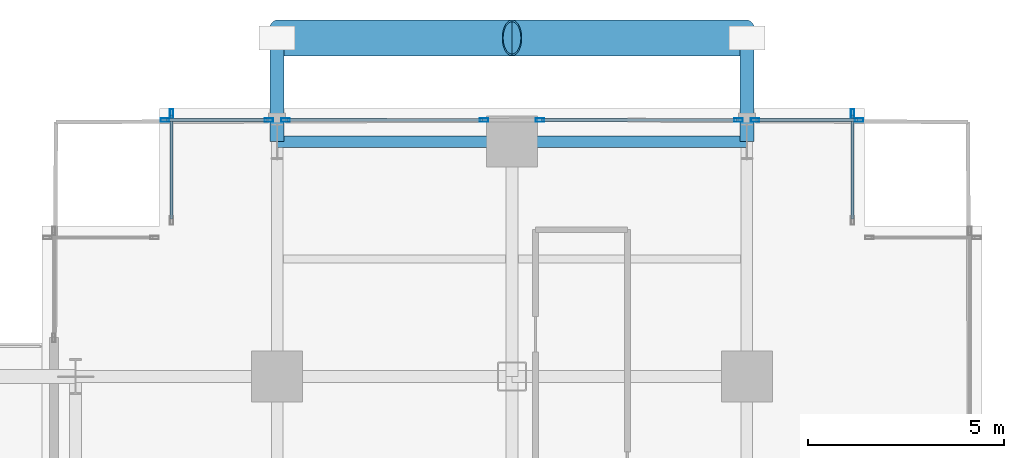
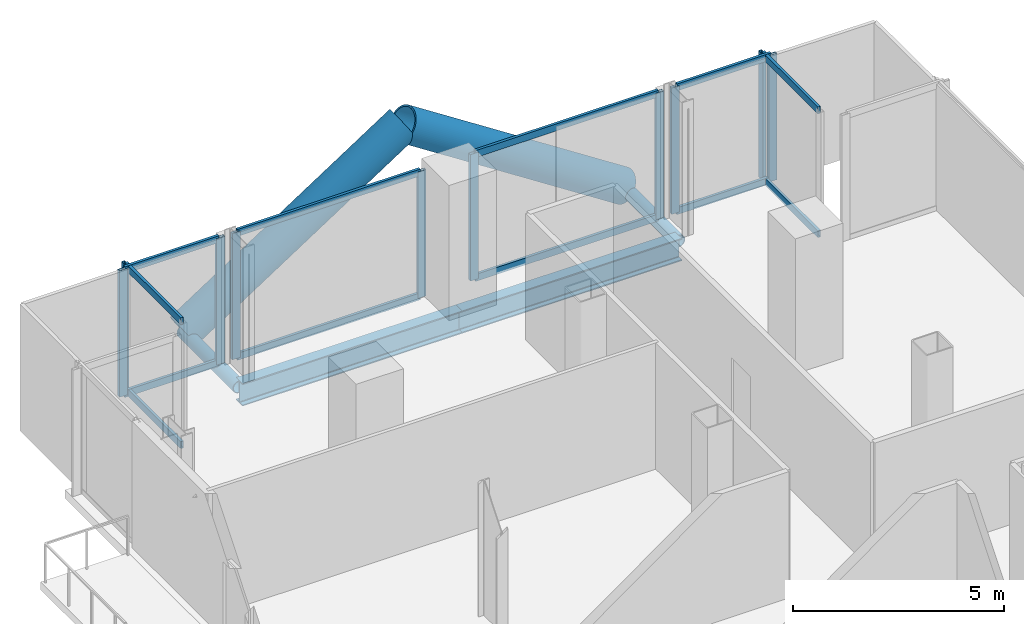
# One storey, part 16 of 27: 26 members, 2 beams, 6 elements without a shape of their own.
"""IFC4 building model written with IfcOpenShell, lengths in metres."""

from ifc_helpers import new_model, si_unit, direction, frame, origin, origin_2d, place, context, subcontext, project, spatial, hollow_rectangle, hollow_circle, i_section, extrude, material, layer, layer_set, material_profile, profile_set, type_object, element, aggregate, save


model = new_model("IFC4")

# Units and contexts
model_context = context("Model", 3, precision=1e-05, world=origin(), true_north=direction((0.0, 1.0)))
body_context = subcontext(model_context, "Body", "Model", "MODEL_VIEW")
ifc_project = project(units=[si_unit("LENGTHUNIT", "METRE"), si_unit("AREAUNIT", "SQUARE_METRE"), si_unit("VOLUMEUNIT", "CUBIC_METRE"), si_unit("PLANEANGLEUNIT", "RADIAN"), si_unit("MASSUNIT", "GRAM", prefix="KILO"), si_unit("THERMODYNAMICTEMPERATUREUNIT", "KELVIN"), si_unit("POWERUNIT", "WATT")], contexts=[model_context])

# Site, building, storey
site_placement = place(None, origin())
site = spatial("IfcSite", under=ifc_project, at=site_placement, CompositionType="ELEMENT")
building_placement = place(site_placement, origin())
building = spatial("IfcBuilding", under=site, at=building_placement, Name="Svarakhadi Broadcast Tower", CompositionType="ELEMENT")
storey_placement = place(building_placement, frame((0.0, 0.0, 40.199951171875)))
storey = spatial("IfcBuildingStorey", under=building, at=storey_placement, Name="L08", CompositionType="ELEMENT", Elevation=40.199951171875)

# Curtain wall, member
ifc_material_1 = material(Name="Anodised Bronze Aluminium AA 6063-T6", Category="aluminium")
ifc_layer = layer(ifc_material_1, 0.219970703125)
ifc_layer_set = layer_set([ifc_layer], Name="Anodised Bronze Aluminium AA 6063-T6")
curtain_wall_type = type_object("IfcCurtainWallType", Name="CW_Sys_02", PredefinedType="NOTDEFINED", material=ifc_layer_set)
curtain_wall_1_placement = place(storey_placement, origin())
curtain_wall_1 = element("IfcCurtainWall", 1, at=curtain_wall_1_placement, inside=storey, type_object=curtain_wall_type, Name="L08 Unitised Facade Curtain Wall 05", PredefinedType="NOTDEFINED")
ifc_material_profile_1 = material_profile(ifc_material_1, hollow_rectangle(XDim=0.0849609375, YDim=0.219970703125, WallThickness=0.006103515625, at=origin_2d()), Name="ALU MULLION 220x85x6")
ifc_profile_set_1 = profile_set([ifc_material_profile_1], Name="Anodised Bronze Aluminium AA 6063-T6")
member_type_1 = type_object("IfcMemberType", Name="CW_Sys_02_Mul", PredefinedType="MULLION", material=ifc_profile_set_1)
member_1_placement = place(storey_placement, frame((3.300048828125, 47.867431640625, 0.0), z_axis=(0.0, 0.0, 1.0), x_axis=(-1.0, 0.0, 0.0)))
member_1 = element("IfcMember", 2, at=member_1_placement, type_object=member_type_1, Name="CW-02 mullion 2", PredefinedType="MULLION", context=body_context, shape_type="SweptSolid", body=[
    extrude(hollow_rectangle(XDim=0.0849609375, YDim=0.219970703125, WallThickness=0.006103515625, at=origin_2d()), origin(), (0.0, 0.0, 1.0), 3.650146484375),
])

# Curtain wall, members
curtain_wall_2_placement = place(storey_placement, origin())
curtain_wall_2 = element("IfcCurtainWall", 3, at=curtain_wall_2_placement, inside=storey, type_object=curtain_wall_type, Name="L08 Unitised Facade Curtain Wall 06 Bay 1", PredefinedType="NOTDEFINED")
member_2_placement = place(storey_placement, frame((3.132568359375, 47.699951171875, 0.0), z_axis=(0.0, 0.0, 1.0), x_axis=(0.0, 1.0, 0.0)))
member_2 = element("IfcMember", 4, at=member_2_placement, type_object=member_type_1, Name="CW-02 mullion 1", PredefinedType="MULLION", context=body_context, shape_type="SweptSolid", body=[
    extrude(hollow_rectangle(XDim=0.0849609375, YDim=0.219970703125, WallThickness=0.006103515625, at=origin_2d()), origin(), (0.0, 0.0, 1.0), 3.650146484375),
])
member_3_placement = place(storey_placement, frame((5.78759765625, 47.699951171875, 0.0), z_axis=(0.0, 0.0, 1.0), x_axis=(0.0, 1.0, 0.0)))
member_3 = element("IfcMember", 5, at=member_3_placement, type_object=member_type_1, Name="CW-02 mullion 2", PredefinedType="MULLION", context=body_context, shape_type="SweptSolid", body=[
    extrude(hollow_rectangle(XDim=0.0849609375, YDim=0.219970703125, WallThickness=0.006103515625, at=origin_2d()), origin(), (0.0, 0.0, 1.0), 3.650146484375),
])

curtain_wall_3_placement = place(storey_placement, origin())
curtain_wall_3 = element("IfcCurtainWall", 6, at=curtain_wall_3_placement, inside=storey, type_object=curtain_wall_type, Name="L08 Unitised Facade Curtain Wall 06 Bay 2", PredefinedType="NOTDEFINED")
member_4_placement = place(storey_placement, frame((6.21240234375, 47.699951171875, 0.0), z_axis=(0.0, 0.0, 1.0), x_axis=(0.0, 1.0, 0.0)))
member_4 = element("IfcMember", 7, at=member_4_placement, type_object=member_type_1, Name="CW-02 mullion 1", PredefinedType="MULLION", context=body_context, shape_type="SweptSolid", body=[
    extrude(hollow_rectangle(XDim=0.0849609375, YDim=0.219970703125, WallThickness=0.006103515625, at=origin_2d()), origin(), (0.0, 0.0, 1.0), 3.650146484375),
])
member_5_placement = place(storey_placement, frame((11.28759765625, 47.699951171875, 0.0), z_axis=(0.0, 0.0, 1.0), x_axis=(0.0, 1.0, 0.0)))
member_5 = element("IfcMember", 8, at=member_5_placement, type_object=member_type_1, Name="CW-02 mullion 2", PredefinedType="MULLION", context=body_context, shape_type="SweptSolid", body=[
    extrude(hollow_rectangle(XDim=0.0849609375, YDim=0.219970703125, WallThickness=0.006103515625, at=origin_2d()), origin(), (0.0, 0.0, 1.0), 3.650146484375),
])

curtain_wall_4_placement = place(storey_placement, origin())
curtain_wall_4 = element("IfcCurtainWall", 9, at=curtain_wall_4_placement, inside=storey, type_object=curtain_wall_type, Name="L08 Unitised Facade Curtain Wall 06 Bay 3", PredefinedType="NOTDEFINED")
member_6_placement = place(storey_placement, frame((12.71240234375, 47.699951171875, 0.0), z_axis=(0.0, 0.0, 1.0), x_axis=(0.0, 1.0, 0.0)))
member_6 = element("IfcMember", 10, at=member_6_placement, type_object=member_type_1, Name="CW-02 mullion 1", PredefinedType="MULLION", context=body_context, shape_type="SweptSolid", body=[
    extrude(hollow_rectangle(XDim=0.0849609375, YDim=0.219970703125, WallThickness=0.006103515625, at=origin_2d()), origin(), (0.0, 0.0, 1.0), 3.650146484375),
])
member_7_placement = place(storey_placement, frame((17.78759765625, 47.699951171875, 0.0), z_axis=(0.0, 0.0, 1.0), x_axis=(0.0, 1.0, 0.0)))
member_7 = element("IfcMember", 11, at=member_7_placement, type_object=member_type_1, Name="CW-02 mullion 2", PredefinedType="MULLION", context=body_context, shape_type="SweptSolid", body=[
    extrude(hollow_rectangle(XDim=0.0849609375, YDim=0.219970703125, WallThickness=0.006103515625, at=origin_2d()), origin(), (0.0, 0.0, 1.0), 3.650146484375),
])

curtain_wall_5_placement = place(storey_placement, origin())
curtain_wall_5 = element("IfcCurtainWall", 12, at=curtain_wall_5_placement, inside=storey, type_object=curtain_wall_type, Name="L08 Unitised Facade Curtain Wall 06 Bay 4", PredefinedType="NOTDEFINED")
member_8_placement = place(storey_placement, frame((18.21240234375, 47.699951171875, 0.0), z_axis=(0.0, 0.0, 1.0), x_axis=(0.0, 1.0, 0.0)))
member_8 = element("IfcMember", 13, at=member_8_placement, type_object=member_type_1, Name="CW-02 mullion 1", PredefinedType="MULLION", context=body_context, shape_type="SweptSolid", body=[
    extrude(hollow_rectangle(XDim=0.0849609375, YDim=0.219970703125, WallThickness=0.006103515625, at=origin_2d()), origin(), (0.0, 0.0, 1.0), 3.650146484375),
])
member_9_placement = place(storey_placement, frame((20.867431640625, 47.699951171875, 0.0), z_axis=(0.0, 0.0, 1.0), x_axis=(0.0, 1.0, 0.0)))
member_9 = element("IfcMember", 14, at=member_9_placement, type_object=member_type_1, Name="CW-02 mullion 2", PredefinedType="MULLION", context=body_context, shape_type="SweptSolid", body=[
    extrude(hollow_rectangle(XDim=0.0849609375, YDim=0.219970703125, WallThickness=0.006103515625, at=origin_2d()), origin(), (0.0, 0.0, 1.0), 3.650146484375),
])

# Curtain wall, member
curtain_wall_6_placement = place(storey_placement, origin())
curtain_wall_6 = element("IfcCurtainWall", 15, at=curtain_wall_6_placement, inside=storey, type_object=curtain_wall_type, Name="L08 Unitised Facade Curtain Wall 07", PredefinedType="NOTDEFINED")
member_10_placement = place(storey_placement, frame((20.699951171875, 47.867431640625, 0.0), z_axis=(0.0, 0.0, 1.0), x_axis=(1.0, 0.0, 0.0)))
member_10 = element("IfcMember", 16, at=member_10_placement, type_object=member_type_1, Name="CW-02 mullion 1", PredefinedType="MULLION", context=body_context, shape_type="SweptSolid", body=[
    extrude(hollow_rectangle(XDim=0.0849609375, YDim=0.219970703125, WallThickness=0.006103515625, at=origin_2d()), origin(), (0.0, 0.0, 1.0), 3.650146484375),
])

# Member
ifc_material_profile_2 = material_profile(ifc_material_1, hollow_rectangle(XDim=0.074951171875, YDim=0.199951171875, WallThickness=0.0048828125, at=origin_2d()), Name="ALU TRANSOM 200x75x5")
ifc_profile_set_2 = profile_set([ifc_material_profile_2], Name="Anodised Bronze Aluminium AA 6063-T6")
member_type_2 = type_object("IfcMemberType", Name="CW_Sys_02_Trn", PredefinedType="USERDEFINED", material=ifc_profile_set_2)
member_11_placement = place(storey_placement, frame((3.300048828125, 45.175048828125, 0.03759765625), z_axis=(0.0, 1.0, 0.0), x_axis=(-1.0, 0.0, 0.0)))
member_11 = element("IfcMember", 17, at=member_11_placement, type_object=member_type_2, Name="CW-02 transom 1.1", ObjectType="TRANSOM", PredefinedType="USERDEFINED", context=body_context, shape_type="SweptSolid", body=[
    extrude(hollow_rectangle(XDim=0.074951171875, YDim=0.199951171875, WallThickness=0.0048828125, at=origin_2d()), origin(), (0.0, 0.0, 1.0), 2.64990234375),
])

member_12_placement = place(storey_placement, frame((3.300048828125, 45.175048828125, 3.612548828125), z_axis=(0.0, 1.0, 0.0), x_axis=(-1.0, 0.0, 0.0)))
member_12 = element("IfcMember", 18, at=member_12_placement, type_object=member_type_2, Name="CW-02 transom 1.2", ObjectType="TRANSOM", PredefinedType="USERDEFINED", context=body_context, shape_type="SweptSolid", body=[
    extrude(hollow_rectangle(XDim=0.074951171875, YDim=0.199951171875, WallThickness=0.0048828125, at=origin_2d()), origin(), (0.0, 0.0, 1.0), 2.64990234375),
])

aggregate(curtain_wall_1, [member_1, member_11, member_12])

member_13_placement = place(storey_placement, frame((3.175048828125, 47.699951171875, 0.03759765625), z_axis=(1.0, 0.0, 0.0), x_axis=(0.0, 1.0, 0.0)))
member_13 = element("IfcMember", 19, at=member_13_placement, type_object=member_type_2, Name="CW-02 transom 1.1", ObjectType="TRANSOM", PredefinedType="USERDEFINED", context=body_context, shape_type="SweptSolid", body=[
    extrude(hollow_rectangle(XDim=0.074951171875, YDim=0.199951171875, WallThickness=0.0048828125, at=origin_2d()), origin(), (0.0, 0.0, 1.0), 2.570068359375),
])

member_14_placement = place(storey_placement, frame((3.175048828125, 47.699951171875, 3.612548828125), z_axis=(1.0, 0.0, 0.0), x_axis=(0.0, 1.0, 0.0)))
member_14 = element("IfcMember", 20, at=member_14_placement, type_object=member_type_2, Name="CW-02 transom 1.2", ObjectType="TRANSOM", PredefinedType="USERDEFINED", context=body_context, shape_type="SweptSolid", body=[
    extrude(hollow_rectangle(XDim=0.074951171875, YDim=0.199951171875, WallThickness=0.0048828125, at=origin_2d()), origin(), (0.0, 0.0, 1.0), 2.570068359375),
])

aggregate(curtain_wall_2, [member_2, member_3, member_13, member_14])

member_15_placement = place(storey_placement, frame((6.2548828125, 47.699951171875, 0.03759765625), z_axis=(1.0, 0.0, 0.0), x_axis=(0.0, 1.0, 0.0)))
member_15 = element("IfcMember", 21, at=member_15_placement, type_object=member_type_2, Name="CW-02 transom 1.1", ObjectType="TRANSOM", PredefinedType="USERDEFINED", context=body_context, shape_type="SweptSolid", body=[
    extrude(hollow_rectangle(XDim=0.074951171875, YDim=0.199951171875, WallThickness=0.0048828125, at=origin_2d()), origin(), (0.0, 0.0, 1.0), 4.990234375),
])

member_16_placement = place(storey_placement, frame((6.2548828125, 47.699951171875, 3.612548828125), z_axis=(1.0, 0.0, 0.0), x_axis=(0.0, 1.0, 0.0)))
member_16 = element("IfcMember", 22, at=member_16_placement, type_object=member_type_2, Name="CW-02 transom 1.2", ObjectType="TRANSOM", PredefinedType="USERDEFINED", context=body_context, shape_type="SweptSolid", body=[
    extrude(hollow_rectangle(XDim=0.074951171875, YDim=0.199951171875, WallThickness=0.0048828125, at=origin_2d()), origin(), (0.0, 0.0, 1.0), 4.990234375),
])

aggregate(curtain_wall_3, [member_4, member_5, member_15, member_16])

member_17_placement = place(storey_placement, frame((12.7548828125, 47.699951171875, 0.03759765625), z_axis=(1.0, 0.0, 0.0), x_axis=(0.0, 1.0, 0.0)))
member_17 = element("IfcMember", 23, at=member_17_placement, type_object=member_type_2, Name="CW-02 transom 1.1", ObjectType="TRANSOM", PredefinedType="USERDEFINED", context=body_context, shape_type="SweptSolid", body=[
    extrude(hollow_rectangle(XDim=0.074951171875, YDim=0.199951171875, WallThickness=0.0048828125, at=origin_2d()), origin(), (0.0, 0.0, 1.0), 4.990234375),
])

member_18_placement = place(storey_placement, frame((12.7548828125, 47.699951171875, 3.612548828125), z_axis=(1.0, 0.0, 0.0), x_axis=(0.0, 1.0, 0.0)))
member_18 = element("IfcMember", 24, at=member_18_placement, type_object=member_type_2, Name="CW-02 transom 1.2", ObjectType="TRANSOM", PredefinedType="USERDEFINED", context=body_context, shape_type="SweptSolid", body=[
    extrude(hollow_rectangle(XDim=0.074951171875, YDim=0.199951171875, WallThickness=0.0048828125, at=origin_2d()), origin(), (0.0, 0.0, 1.0), 4.990234375),
])

aggregate(curtain_wall_4, [member_6, member_7, member_17, member_18])

member_19_placement = place(storey_placement, frame((18.2548828125, 47.699951171875, 0.03759765625), z_axis=(1.0, 0.0, 0.0), x_axis=(0.0, 1.0, 0.0)))
member_19 = element("IfcMember", 25, at=member_19_placement, type_object=member_type_2, Name="CW-02 transom 1.1", ObjectType="TRANSOM", PredefinedType="USERDEFINED", context=body_context, shape_type="SweptSolid", body=[
    extrude(hollow_rectangle(XDim=0.074951171875, YDim=0.199951171875, WallThickness=0.0048828125, at=origin_2d()), origin(), (0.0, 0.0, 1.0), 2.570068359375),
])

member_20_placement = place(storey_placement, frame((18.2548828125, 47.699951171875, 3.612548828125), z_axis=(1.0, 0.0, 0.0), x_axis=(0.0, 1.0, 0.0)))
member_20 = element("IfcMember", 26, at=member_20_placement, type_object=member_type_2, Name="CW-02 transom 1.2", ObjectType="TRANSOM", PredefinedType="USERDEFINED", context=body_context, shape_type="SweptSolid", body=[
    extrude(hollow_rectangle(XDim=0.074951171875, YDim=0.199951171875, WallThickness=0.0048828125, at=origin_2d()), origin(), (0.0, 0.0, 1.0), 2.570068359375),
])

aggregate(curtain_wall_5, [member_8, member_9, member_19, member_20])

member_21_placement = place(storey_placement, frame((20.699951171875, 47.824951171875, 0.03759765625), z_axis=(0.0, -1.0, 0.0), x_axis=(1.0, 0.0, 0.0)))
member_21 = element("IfcMember", 27, at=member_21_placement, type_object=member_type_2, Name="CW-02 transom 1.1", ObjectType="TRANSOM", PredefinedType="USERDEFINED", context=body_context, shape_type="SweptSolid", body=[
    extrude(hollow_rectangle(XDim=0.074951171875, YDim=0.199951171875, WallThickness=0.0048828125, at=origin_2d()), origin(), (0.0, 0.0, 1.0), 2.64990234375),
])

member_22_placement = place(storey_placement, frame((20.699951171875, 47.824951171875, 3.612548828125), z_axis=(0.0, -1.0, 0.0), x_axis=(1.0, 0.0, 0.0)))
member_22 = element("IfcMember", 28, at=member_22_placement, type_object=member_type_2, Name="CW-02 transom 1.2", ObjectType="TRANSOM", PredefinedType="USERDEFINED", context=body_context, shape_type="SweptSolid", body=[
    extrude(hollow_rectangle(XDim=0.074951171875, YDim=0.199951171875, WallThickness=0.0048828125, at=origin_2d()), origin(), (0.0, 0.0, 1.0), 2.64990234375),
])

aggregate(curtain_wall_6, [member_10, member_21, member_22])

# Members
ifc_material_2 = material(Name="Steel S460ML (IS 2062 E450BR)", Category="steel")
ifc_material_profile_3 = material_profile(ifc_material_2, hollow_circle(Radius=0.45703125, WallThickness=0.044921875, at=origin_2d()), Name="CHS 914x45")
ifc_profile_set_3 = profile_set([ifc_material_profile_3], Name="Steel S460ML (IS 2062 E450BR)")
member_type_3 = type_object("IfcMemberType", Name="Exo_Brace_CHS914", PredefinedType="BRACE", material=ifc_profile_set_3)
for number, where, z_axis, x_axis, name in (
    (29, (6.0, 49.800048828125, -0.427734375), (0.838449851971, 0.0, 0.544978757136), (0.0, 1.0, 0.0), "L08 Exposed Bronze Exoskeleton Diagonal N12"),
    (30, (18.0, 49.800048828125, -0.427734375), (-0.838449851971, 0.0, 0.544978757136), (0.0, -1.0, 0.0), "L08 Exposed Bronze Exoskeleton Diagonal N13"),
):
    element("IfcMember", number, at=place(storey_placement, frame(where, z_axis=z_axis, x_axis=x_axis)), inside=storey, type_object=member_type_3, Name=name, PredefinedType="BRACE", context=body_context, shape_type="SweptSolid", body=[
        extrude(hollow_circle(Radius=0.45703125, WallThickness=0.044921875, at=origin_2d()), origin(), (0.0, 0.0, 1.0), 7.156005859375),
    ])
ifc_material_profile_4 = material_profile(ifc_material_2, hollow_circle(Radius=0.177734375, WallThickness=0.02001953125, at=origin_2d()), Name="CHS 355.6x20")
ifc_profile_set_4 = profile_set([ifc_material_profile_4], Name="Steel S460ML (IS 2062 E450BR)")
member_type_4 = type_object("IfcMemberType", Name="Exo_Radial_Strut_Z1", PredefinedType="STRUT", material=ifc_profile_set_4)
for number, where, z_axis, x_axis, name in (
    (31, (6.0, 49.800048828125, -0.427734375), (0.0, -1.0, 0.0), (1.0, 0.0, 0.0), "L08 Exoskeleton Radial Tie Strut N11"),
    (32, (18.0, 49.800048828125, -0.427734375), (0.0, -1.0, 0.0), (1.0, 0.0, 0.0), "L08 Exoskeleton Radial Tie Strut N12"),
):
    element("IfcMember", number, at=place(storey_placement, frame(where, z_axis=z_axis, x_axis=x_axis)), inside=storey, type_object=member_type_4, Name=name, PredefinedType="STRUT", context=body_context, shape_type="SweptSolid", body=[
        extrude(hollow_circle(Radius=0.177734375, WallThickness=0.02001953125, at=origin_2d()), origin(), (0.0, 0.0, 1.0), 2.650146484375),
    ])

# Beams
ifc_material_3 = material(Name="Steel S355J2 (IS 2062 E350C)", Category="steel")
ifc_material_profile_5 = material_profile(ifc_material_3, i_section(OverallWidth=0.300048828125, OverallDepth=0.64990234375, WebThickness=0.01611328125, FlangeThickness=0.031005859375, FilletRadius=0.027099609375, at=origin_2d()), Name="WPB 650x300x225")
ifc_profile_set_5 = profile_set([ifc_material_profile_5], Name="Steel S355J2 (IS 2062 E350C)")
beam_type = type_object("IfcBeamType", Name="Girder_WPB650", PredefinedType="USERDEFINED", material=ifc_profile_set_5)
for number, where, z_axis, x_axis, name in (
    (33, (6.0, 47.14990234375, -0.574951171875), (1.0, 0.0, 0.0), (0.0, 1.0, 0.0), "L08 Primary E-W Girder G043"),
    (34, (12.0, 47.14990234375, -0.574951171875), (1.0, 0.0, 0.0), (0.0, 1.0, 0.0), "L08 Primary E-W Girder G044"),
):
    element("IfcBeam", number, at=place(storey_placement, frame(where, z_axis=z_axis, x_axis=x_axis)), inside=storey, type_object=beam_type, Name=name, ObjectType="GIRDER", PredefinedType="USERDEFINED", context=body_context, shape_type="SweptSolid", body=[
        extrude(i_section(OverallWidth=0.300048828125, OverallDepth=0.64990234375, WebThickness=0.01611328125, FlangeThickness=0.031005859375, FilletRadius=0.027099609375, at=origin_2d()), origin(), (0.0, 0.0, 1.0), 6.0),
    ])

save(model, "model.ifc")
